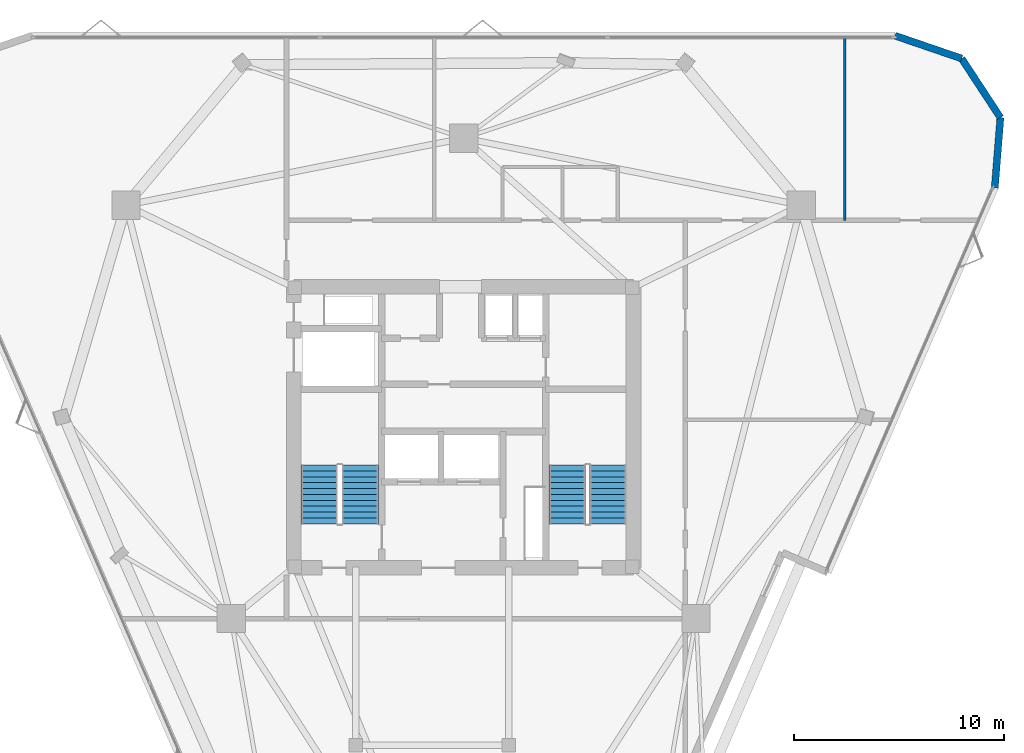
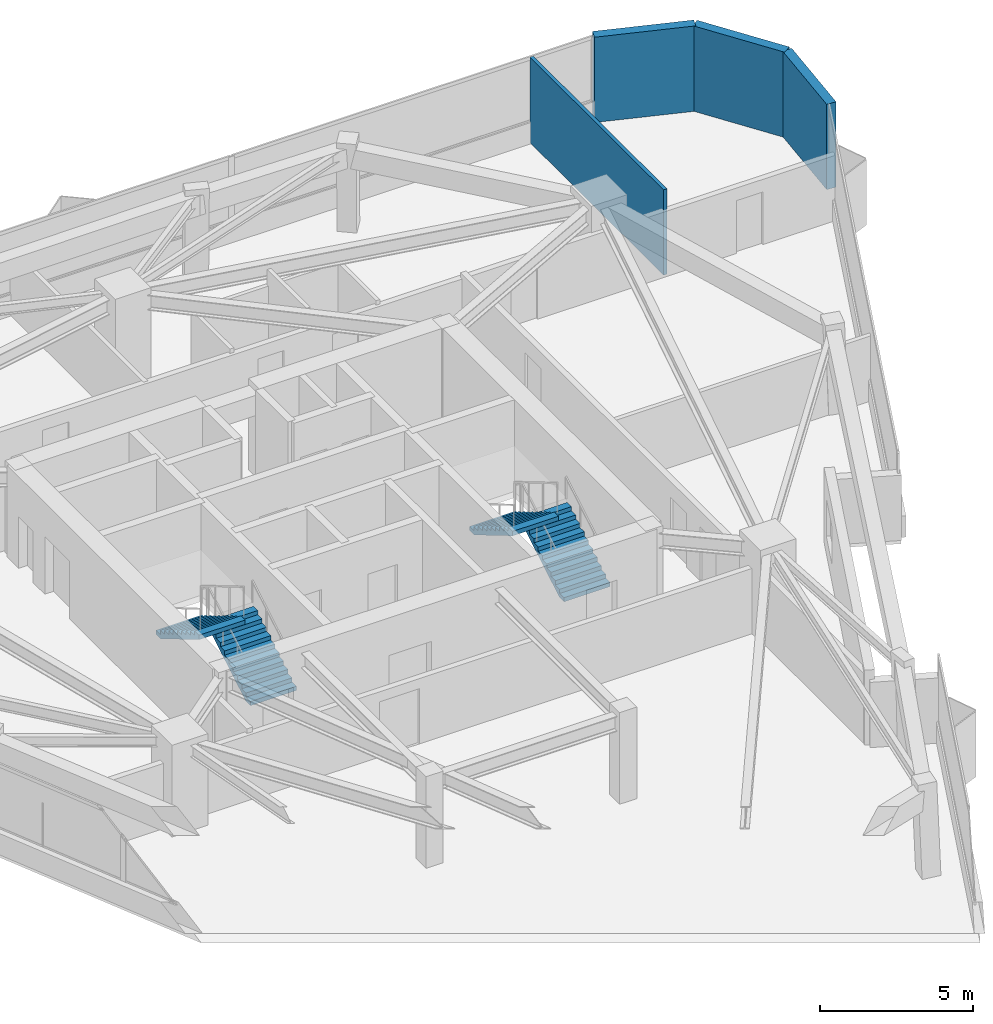
# One storey, part 8 of 9: 4 stair flights, 4 walls, 2 elements without a shape of their own.
"""IFC4 building model written with IfcOpenShell, lengths in metres."""

import ifcopenshell
import ifcopenshell.guid

model = None  # the IFC model being written
_history = None  # IfcOwnerHistory: only IFC2X3 demands one
_inside = {}  # id of a spatial element -> (the spatial element, [elements in it])
_under = {}  # id of a project, library or spatial element -> (it, [spatial elements below it])
_declared = {}  # id of a project -> (the project, [libraries it declares])
_typed = {}  # id of a type object -> (the type object, [elements of that type])
_made_of = {}  # id of a material, layer set ... -> (it, [elements and type objects made of it])


def new_model(schema):
    """Start an empty IFC model of exactly this schema.

    Asked for "IFC4X3", IfcOpenShell would pick the latest addendum, in which some entities
    have other attributes; the version numbers below select the first issue.
    IFC2X3 requires an IfcOwnerHistory on every rooted entity: one is made here for all.
    """
    global model, _history
    if schema == "IFC4X3":
        model = ifcopenshell.file(schema_version=(4, 3, 0, 0))
    else:
        model = ifcopenshell.file(schema=schema)
    _inside.clear()
    _under.clear()
    _declared.clear()
    _typed.clear()
    _made_of.clear()
    _history = None
    if model.schema == "IFC2X3":
        org = make("IfcOrganization", Name="unknown")
        user = make(
            "IfcPersonAndOrganization",
            ThePerson=make("IfcPerson", FamilyName="unknown"),
            TheOrganization=org,
        )
        app = make(
            "IfcApplication",
            ApplicationDeveloper=org,
            Version="unknown",
            ApplicationFullName="unknown",
            ApplicationIdentifier="unknown",
        )
        _history = make(
            "IfcOwnerHistory",
            OwningUser=user,
            OwningApplication=app,
            ChangeAction="ADDED",
            CreationDate=0,
        )
    return model


def make(cls, **values):
    """One entity of the class cls with the attributes given. An attribute that is None is left unset."""
    return model.create_entity(
        cls, **{name: value for name, value in values.items() if value is not None}
    )


def rooted(cls, **values):
    """An entity with a GlobalId (a new one), such as an element, a storey or a relation."""
    return make(cls, GlobalId=ifcopenshell.guid.new(), OwnerHistory=_history, **values)


def si_unit(unit_type, name, prefix=None):
    """IfcSIUnit, for example si_unit("LENGTHUNIT", "METRE", prefix="MILLI")."""
    return make("IfcSIUnit", UnitType=unit_type, Prefix=prefix, Name=name)


def assignment(units):
    """IfcUnitAssignment: the units of a project."""
    return None if units is None else make("IfcUnitAssignment", Units=units)


def point(xyz):
    """IfcCartesianPoint."""
    return None if xyz is None else make("IfcCartesianPoint", Coordinates=xyz)


def direction(xyz):
    """IfcDirection."""
    return None if xyz is None else make("IfcDirection", DirectionRatios=xyz)


def frame(location, z_axis=None, x_axis=None):
    """IfcAxis2Placement3D, a coordinate frame: its origin and axes. An axis left out is left unset."""
    return make(
        "IfcAxis2Placement3D",
        Location=point(location),
        Axis=direction(z_axis),
        RefDirection=direction(x_axis),
    )


def frame_2d(location, x_axis=None):
    """IfcAxis2Placement2D, a coordinate frame in the plane: its origin and x axis."""
    return make(
        "IfcAxis2Placement2D", Location=point(location), RefDirection=direction(x_axis)
    )


def origin():
    """The frame at (0, 0, 0) with its axes left unset."""
    return frame((0.0, 0.0, 0.0))


def place(relative_to, where):
    """IfcLocalPlacement: puts the frame where relative to a parent placement (None: the world)."""
    return make(
        "IfcLocalPlacement", PlacementRelTo=relative_to, RelativePlacement=where
    )


def context(
    kind, dimensions, precision=None, world=None, true_north=None, identifier=None
):
    """IfcGeometricRepresentationContext, for example the 3D "Model" context."""
    return make(
        "IfcGeometricRepresentationContext",
        ContextIdentifier=identifier,
        ContextType=kind,
        CoordinateSpaceDimension=dimensions,
        Precision=precision,
        WorldCoordinateSystem=world,
        TrueNorth=true_north,
    )


def subcontext(parent, identifier, kind, view, scale=None):
    """IfcGeometricRepresentationSubContext, for example "Body" below "Model"."""
    return make(
        "IfcGeometricRepresentationSubContext",
        ContextIdentifier=identifier,
        ContextType=kind,
        ParentContext=parent,
        TargetScale=scale,
        TargetView=view,
    )


def project(units=None, contexts=None):
    """IfcProject with its units and contexts."""
    return rooted(
        "IfcProject",
        Name="project",
        RepresentationContexts=contexts,
        UnitsInContext=assignment(units),
    )


def spatial(cls, under=None, at=None, **own):
    """A site, building, storey or space (cls), placed at a placement, below another one or the project."""
    s = rooted(cls, ObjectPlacement=at, **own)
    if under is not None:
        _under.setdefault(under.id(), (under, []))[1].append(s)
    return s


def polyline(points):
    """IfcPolyline through the points."""
    return make("IfcPolyline", Points=[point(p) for p in points])


def profile(cls, at=None, kind="AREA", **sizes):
    """A parametric profile (cls). Its sizes go by their IFC names, for example OverallWidth=200.0."""
    return make(cls, ProfileType=kind, Position=at, **sizes)


def rectangle(**sizes):
    """IfcRectangleProfileDef."""
    return profile("IfcRectangleProfileDef", **sizes)


def outline(outer, holes=None, kind="AREA"):
    """IfcArbitraryClosedProfileDef: a profile drawn as a closed curve; with holes, ...WithVoids."""
    if holes is None:
        return make("IfcArbitraryClosedProfileDef", ProfileType=kind, OuterCurve=outer)
    return make(
        "IfcArbitraryProfileDefWithVoids",
        ProfileType=kind,
        OuterCurve=outer,
        InnerCurves=holes,
    )


def extrude(swept, where, along, depth):
    """IfcExtrudedAreaSolid: the profile swept, set in the frame where, extruded along a direction by depth."""
    return make(
        "IfcExtrudedAreaSolid",
        SweptArea=swept,
        Position=where,
        ExtrudedDirection=direction(along),
        Depth=depth,
    )


def shape(context_of_items, identifier, shape_type, items):
    """IfcShapeRepresentation: the items that make up one representation, for example the "Body"."""
    return make(
        "IfcShapeRepresentation",
        ContextOfItems=context_of_items,
        RepresentationIdentifier=identifier,
        RepresentationType=shape_type,
        Items=items,
    )


def material(Name=None, Category=None):
    """IfcMaterial."""
    return make("IfcMaterial", Name=Name, Category=Category)


def layer(
    of_material, thickness, ventilated=None, Name=None, Category=None, Priority=None
):
    """IfcMaterialLayer: one layer of a wall or slab, of a material (None: an air gap)."""
    return make(
        "IfcMaterialLayer",
        Material=of_material,
        LayerThickness=thickness,
        IsVentilated=ventilated,
        Name=Name,
        Category=Category,
        Priority=Priority,
    )


def layer_set(layers, Name=None):
    """IfcMaterialLayerSet."""
    return make("IfcMaterialLayerSet", MaterialLayers=layers, LayerSetName=Name)


def made_of(thing, what):
    """Note that an element or type object is made of a material, layer set ...; save() writes the relation."""
    if what is not None:
        _made_of.setdefault(what.id(), (what, []))[1].append(thing)
    return thing


def type_object(cls, material=None, **own):
    """A type object (cls), such as IfcWallType, which elements share."""
    return made_of(rooted(cls, **own), material)


def element(
    cls,
    number,
    at=None,
    inside=None,
    cuts=None,
    type_object=None,
    material=None,
    context=None,
    identifier="Body",
    shape_type=None,
    held_by="IfcProductDefinitionShape",
    body=None,
    shapes=None,
    **own,
):
    """One element of the class cls, such as IfcWall. Its Tag is "e" and its number.

    at: its placement. inside: the storey or other place that contains it. cuts: it is an
    opening in that element (IfcRelVoidsElement). A single representation is given by context,
    identifier, shape_type and body (its items); several are given by shapes. held_by: the class
    of the entity that holds the representations. save() writes the other relations.
    """
    e = rooted(cls, Tag="e%d" % number, ObjectPlacement=at, **own)
    if body is not None:
        shapes = [shape(context, identifier, shape_type, body)]
    if shapes is not None:
        e.Representation = make(held_by, Representations=shapes)
    if inside is not None:
        _inside.setdefault(inside.id(), (inside, []))[1].append(e)
    if cuts is not None:
        rooted(
            "IfcRelVoidsElement", RelatingBuildingElement=cuts, RelatedOpeningElement=e
        )
    if type_object is not None:
        _typed.setdefault(type_object.id(), (type_object, []))[1].append(e)
    return made_of(e, material)


def aggregate(whole, parts):
    """IfcRelAggregates: a whole, such as a stair, and the parts it consists of."""
    return rooted("IfcRelAggregates", RelatingObject=whole, RelatedObjects=parts)


def save(model, path):
    """Write the relations noted so far, then the file.

    IfcRelAggregates (storeys below a building ...), IfcRelContainedInSpatialStructure (elements
    in a storey), IfcRelDefinesByType, IfcRelAssociatesMaterial and IfcRelDeclares: one each for
    every whole, place, type object, material and project.
    """
    for whole, parts in _under.values():
        aggregate(whole, parts)
    for where, things in _inside.values():
        rooted(
            "IfcRelContainedInSpatialStructure",
            RelatedElements=things,
            RelatingStructure=where,
        )
    for kind, things in _typed.values():
        rooted("IfcRelDefinesByType", RelatedObjects=things, RelatingType=kind)
    for what, things in _made_of.values():
        rooted("IfcRelAssociatesMaterial", RelatedObjects=things, RelatingMaterial=what)
    for by, libraries in _declared.values():
        rooted("IfcRelDeclares", RelatingContext=by, RelatedDefinitions=libraries)
    model.write(path)


model = new_model("IFC4")

# Units and contexts
model_context = context("Model", 3, precision=1e-05, world=origin(), true_north=direction((0.0, 1.0)))
body_context = subcontext(model_context, "Body", "Model", "MODEL_VIEW")
ifc_project = project(units=[si_unit("LENGTHUNIT", "METRE"), si_unit("AREAUNIT", "SQUARE_METRE"), si_unit("VOLUMEUNIT", "CUBIC_METRE"), si_unit("PLANEANGLEUNIT", "RADIAN"), si_unit("MASSUNIT", "GRAM", prefix="KILO")], contexts=[model_context])

# Site, building, storey
site_placement = place(None, origin())
site = spatial("IfcSite", under=ifc_project, at=site_placement, CompositionType="ELEMENT")
building_placement = place(site_placement, origin())
building = spatial("IfcBuilding", under=site, at=building_placement, Name="Talyreon Biosciences Tower", CompositionType="ELEMENT")
storey_placement = place(building_placement, frame((0.0, 0.0, 208.60009765625)))
storey = spatial("IfcBuildingStorey", under=building, at=storey_placement, Name="L55", CompositionType="ELEMENT", Elevation=208.60009765625)

# Walls
ifc_material_1 = material(Name="Gypsum acoustic stud partition", Category="gypsum")
ifc_layer_1 = layer(ifc_material_1, 0.1298828125)
ifc_layer_set_1 = layer_set([ifc_layer_1], Name="Gypsum acoustic stud partition")
wall_type_1 = type_object("IfcWallType", Name="OfficeWriteupPartition_130", PredefinedType="PARTITIONING", material=ifc_layer_set_1)
wall_1_placement = place(storey_placement, frame((84.18310546875, 77.8701171875, 0.0), z_axis=(0.0, 0.0, 1.0), x_axis=(0.0, 1.0, 0.0)))
element("IfcWall", 1, at=wall_1_placement, inside=storey, type_object=wall_type_1, Name="L55 Interior Wall IW-L55-NDIV2", PredefinedType="PARTITIONING", context=body_context, shape_type="SweptSolid", body=[
    extrude(rectangle(XDim=8.72998046875, YDim=0.1298828125, at=frame_2d((4.364990234375, 0.0))), origin(), (0.0, 0.0, 1.0), 3.39990234375),
])
ifc_material_2 = material(Name="Precast concrete C45/55", Category="concrete")
ifc_layer_2 = layer(ifc_material_2, 0.340087890625)
ifc_layer_set_2 = layer_set([ifc_layer_2], Name="Precast concrete C45/55")
wall_type_2 = type_object("IfcWallType", Name="PrecastConcreteSpandrelWall_340", PredefinedType="STANDARD", material=ifc_layer_set_2)
wall_2_placement = place(storey_placement, frame((86.5654296875, 86.685302734375, 0.0), z_axis=(0.0, 0.0, 1.0), x_axis=(0.945984660403, -0.324211385182, 0.0)))
element("IfcWall", 2, at=wall_2_placement, inside=storey, type_object=wall_type_2, Name="L55 Rounded-Corner Concrete Pier 04", PredefinedType="STANDARD", context=body_context, shape_type="SweptSolid", body=[
    extrude(rectangle(XDim=3.371337890625, YDim=0.340087890625, at=frame_2d((1.685546875, 0.0))), origin(), (0.0, 0.0, 1.0), 3.39990234375),
])
wall_3_placement = place(storey_placement, frame((89.754638671875, 85.59228515625, 0.0), z_axis=(0.0, 0.0, 1.0), x_axis=(0.548384356693, -0.836226403155, 0.0)))
element("IfcWall", 3, at=wall_3_placement, inside=storey, type_object=wall_type_2, Name="L55 Rounded-Corner Concrete Pier 05", PredefinedType="STANDARD", context=body_context, shape_type="SweptSolid", body=[
    extrude(rectangle(XDim=3.37158203125, YDim=0.340087890625, at=frame_2d((1.685791015625, 0.0))), origin(), (0.0, 0.0, 1.0), 3.39990234375),
])
wall_4_placement = place(storey_placement, frame((91.603515625, 82.77294921875, 0.0), z_axis=(0.0, 0.0, 1.0), x_axis=(-0.079802786794, -0.996810671702, 0.0)))
element("IfcWall", 4, at=wall_4_placement, inside=storey, type_object=wall_type_2, Name="L55 Rounded-Corner Concrete Pier 06", PredefinedType="STANDARD", context=body_context, shape_type="SweptSolid", body=[
    extrude(rectangle(XDim=3.371337890625, YDim=0.340087890625, at=frame_2d((1.685546875, 0.0))), origin(), (0.0, 0.0, 1.0), 3.39990234375),
])

# Stair, stair flights
ifc_material_3 = material(Name="Concrete C40/50", Category="concrete")
stair_type = type_object("IfcStairType", Name="DoglegEscapeStair_3650", PredefinedType="HALF_TURN_STAIR", material=ifc_material_3)
stair_1_placement = place(storey_placement, origin())
stair_1 = element("IfcStair", 5, at=stair_1_placement, inside=storey, type_object=stair_type, Name="L55 Core Escape Stair 1", PredefinedType="HALF_TURN_STAIR")
stair_flight_type = type_object("IfcStairFlightType", Name="PrecastStairFlight_3650", PredefinedType="STRAIGHT", material=ifc_material_3)
stair_flight_1_placement = place(storey_placement, frame((61.06005859375, 63.39990234375, 0.0), z_axis=(0.0, 0.0, 1.0), x_axis=(0.0, 1.0, 0.0)))
stair_flight_1 = element("IfcStairFlight", 6, at=stair_flight_1_placement, type_object=stair_flight_type, Name="ST-1 flight 1", NumberOfRisers=11, NumberOfTreads=10, PredefinedType="STRAIGHT", RiserHeight=0.165909091, TreadLength=0.28, context=body_context, shape_type="SweptSolid", body=[
    extrude(outline(polyline([(0.0, 0.0), (0.0, 0.166015625), (0.280029296875, 0.166015625), (0.280029296875, 0.331787109375), (0.56005859375, 0.331787109375), (0.56005859375, 0.497802734375), (0.840087890625, 0.497802734375), (0.840087890625, 0.66357421875), (1.1201171875, 0.66357421875), (1.1201171875, 0.82958984375), (1.39990234375, 0.82958984375), (1.39990234375, 0.995361328125), (1.679931640625, 0.995361328125), (1.679931640625, 1.161376953125), (1.9599609375, 1.161376953125), (1.9599609375, 1.327392578125), (2.239990234375, 1.327392578125), (2.239990234375, 1.4931640625), (2.52001953125, 1.4931640625), (2.52001953125, 1.6591796875), (2.800048828125, 1.6591796875), (2.800048828125, 1.824951171875), (2.800048828125, 1.48486328125), (0.2939453125, 0.0), (0.0, 0.0)])), frame((0.0, 0.8701171875, 0.0), z_axis=(0.0, -1.0, 0.0), x_axis=(1.0, 0.0, 0.0)), (0.0, 0.0, 1.0), 1.739990234375),
])
stair_flight_2_placement = place(storey_placement, frame((59.1201171875, 66.199951171875, 1.824951171875), z_axis=(0.0, 0.0, 1.0), x_axis=(0.0, -1.0, 0.0)))
stair_flight_2 = element("IfcStairFlight", 7, at=stair_flight_2_placement, type_object=stair_flight_type, Name="ST-1 flight 2", NumberOfRisers=11, NumberOfTreads=10, PredefinedType="STRAIGHT", RiserHeight=0.165909091, TreadLength=0.28, context=body_context, shape_type="SweptSolid", body=[
    extrude(outline(polyline([(0.0, 0.0), (0.0, 0.166015625), (0.280029296875, 0.166015625), (0.280029296875, 0.331787109375), (0.56005859375, 0.331787109375), (0.56005859375, 0.497802734375), (0.840087890625, 0.497802734375), (0.840087890625, 0.66357421875), (1.1201171875, 0.66357421875), (1.1201171875, 0.82958984375), (1.39990234375, 0.82958984375), (1.39990234375, 0.995361328125), (1.679931640625, 0.995361328125), (1.679931640625, 1.161376953125), (1.9599609375, 1.161376953125), (1.9599609375, 1.327392578125), (2.239990234375, 1.327392578125), (2.239990234375, 1.4931640625), (2.52001953125, 1.4931640625), (2.52001953125, 1.6591796875), (2.800048828125, 1.6591796875), (2.800048828125, 1.824951171875), (2.800048828125, 1.48486328125), (0.2939453125, 0.0), (0.0, 0.0)])), frame((0.0, 0.8701171875, 0.0), z_axis=(0.0, -1.0, 0.0), x_axis=(1.0, 0.0, 0.0)), (0.0, 0.0, 1.0), 1.739990234375),
])
aggregate(stair_1, [stair_flight_1, stair_flight_2])

stair_2_placement = place(storey_placement, origin())
stair_2 = element("IfcStair", 8, at=stair_2_placement, inside=storey, type_object=stair_type, Name="L55 Core Escape Stair 2", PredefinedType="HALF_TURN_STAIR")
stair_flight_3_placement = place(storey_placement, frame((72.8798828125, 63.39990234375, 0.0), z_axis=(0.0, 0.0, 1.0), x_axis=(0.0, 1.0, 0.0)))
stair_flight_3 = element("IfcStairFlight", 9, at=stair_flight_3_placement, type_object=stair_flight_type, Name="ST-2 flight 1", NumberOfRisers=11, NumberOfTreads=10, PredefinedType="STRAIGHT", RiserHeight=0.165909091, TreadLength=0.28, context=body_context, shape_type="SweptSolid", body=[
    extrude(outline(polyline([(0.0, 0.0), (0.0, 0.166015625), (0.280029296875, 0.166015625), (0.280029296875, 0.331787109375), (0.56005859375, 0.331787109375), (0.56005859375, 0.497802734375), (0.840087890625, 0.497802734375), (0.840087890625, 0.66357421875), (1.1201171875, 0.66357421875), (1.1201171875, 0.82958984375), (1.39990234375, 0.82958984375), (1.39990234375, 0.995361328125), (1.679931640625, 0.995361328125), (1.679931640625, 1.161376953125), (1.9599609375, 1.161376953125), (1.9599609375, 1.327392578125), (2.239990234375, 1.327392578125), (2.239990234375, 1.4931640625), (2.52001953125, 1.4931640625), (2.52001953125, 1.6591796875), (2.800048828125, 1.6591796875), (2.800048828125, 1.824951171875), (2.800048828125, 1.48486328125), (0.2939453125, 0.0), (0.0, 0.0)])), frame((0.0, 0.8701171875, 0.0), z_axis=(0.0, -1.0, 0.0), x_axis=(1.0, 0.0, 0.0)), (0.0, 0.0, 1.0), 1.739990234375),
])
stair_flight_4_placement = place(storey_placement, frame((70.93994140625, 66.199951171875, 1.824951171875), z_axis=(0.0, 0.0, 1.0), x_axis=(0.0, -1.0, 0.0)))
stair_flight_4 = element("IfcStairFlight", 10, at=stair_flight_4_placement, type_object=stair_flight_type, Name="ST-2 flight 2", NumberOfRisers=11, NumberOfTreads=10, PredefinedType="STRAIGHT", RiserHeight=0.165909091, TreadLength=0.28, context=body_context, shape_type="SweptSolid", body=[
    extrude(outline(polyline([(0.0, 0.0), (0.0, 0.166015625), (0.280029296875, 0.166015625), (0.280029296875, 0.331787109375), (0.56005859375, 0.331787109375), (0.56005859375, 0.497802734375), (0.840087890625, 0.497802734375), (0.840087890625, 0.66357421875), (1.1201171875, 0.66357421875), (1.1201171875, 0.82958984375), (1.39990234375, 0.82958984375), (1.39990234375, 0.995361328125), (1.679931640625, 0.995361328125), (1.679931640625, 1.161376953125), (1.9599609375, 1.161376953125), (1.9599609375, 1.327392578125), (2.239990234375, 1.327392578125), (2.239990234375, 1.4931640625), (2.52001953125, 1.4931640625), (2.52001953125, 1.6591796875), (2.800048828125, 1.6591796875), (2.800048828125, 1.824951171875), (2.800048828125, 1.48486328125), (0.2939453125, 0.0), (0.0, 0.0)])), frame((0.0, 0.8701171875, 0.0), z_axis=(0.0, -1.0, 0.0), x_axis=(1.0, 0.0, 0.0)), (0.0, 0.0, 1.0), 1.739990234375),
])
aggregate(stair_2, [stair_flight_3, stair_flight_4])

save(model, "model.ifc")
